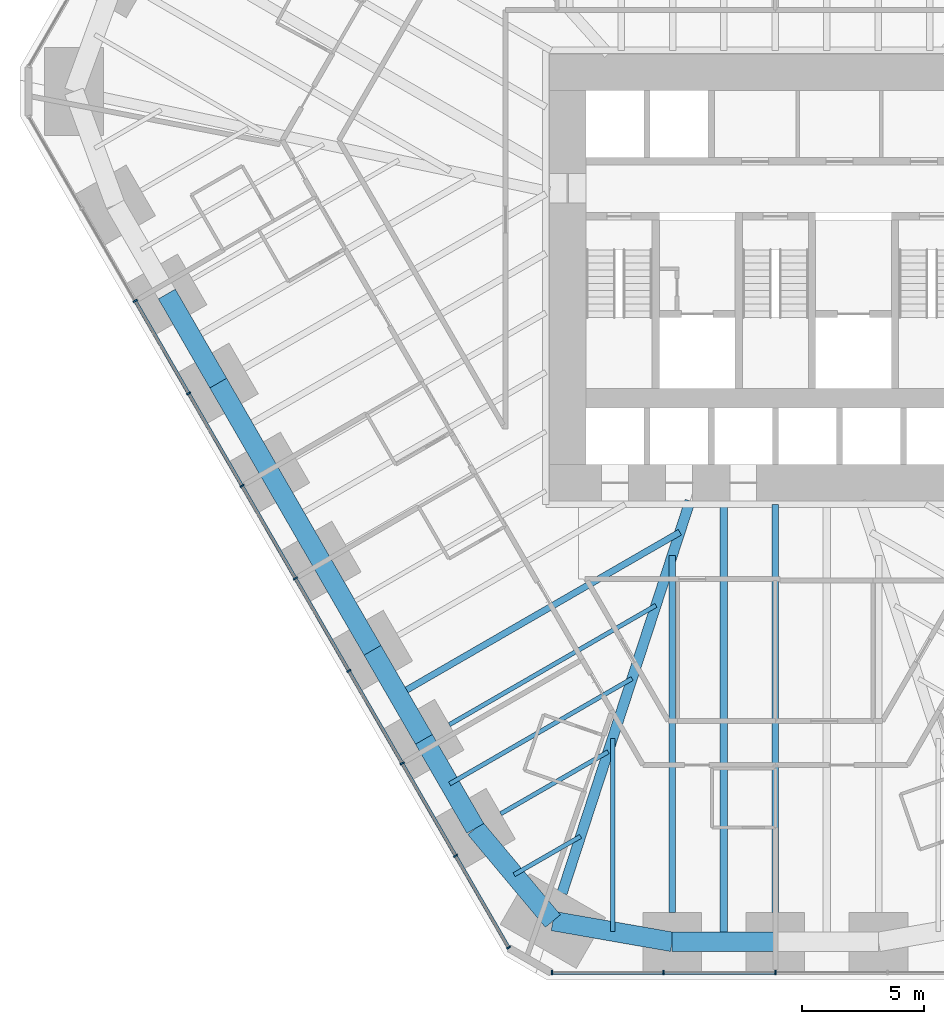
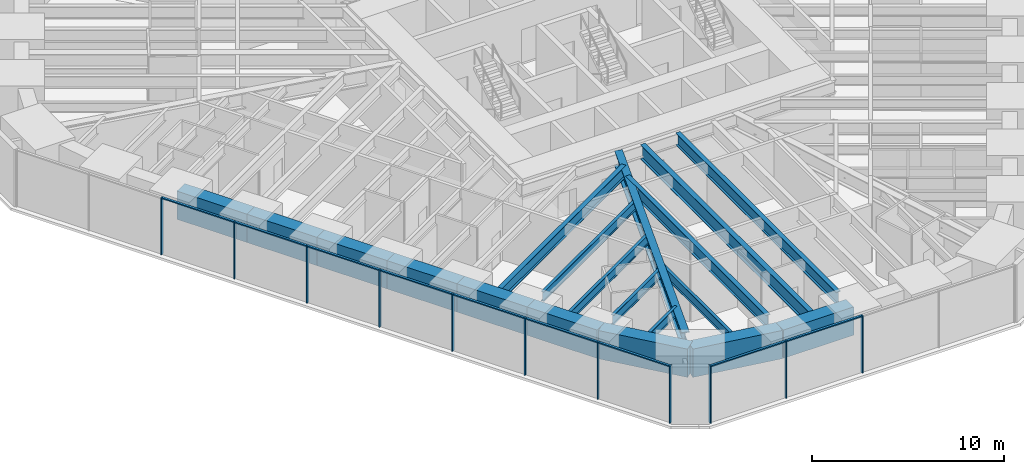
# One storey, part 2 of 17: 20 members, 19 beams, 2 elements without a shape of their own.
"""IFC4 building model written with IfcOpenShell, lengths in metres."""

from ifc_helpers import new_model, si_unit, direction, frame, origin, origin_2d, place, context, subcontext, project, spatial, rectangle, i_section, extrude, material, material_profile, profile_set, type_object, element, aggregate, save


model = new_model("IFC4")

# Units and contexts
model_context = context("Model", 3, precision=1e-05, world=origin(), true_north=direction((0.0, 1.0)))
body_context = subcontext(model_context, "Body", "Model", "MODEL_VIEW")
ifc_project = project(units=[si_unit("LENGTHUNIT", "METRE"), si_unit("AREAUNIT", "SQUARE_METRE"), si_unit("VOLUMEUNIT", "CUBIC_METRE"), si_unit("PLANEANGLEUNIT", "RADIAN"), si_unit("MASSUNIT", "GRAM", prefix="KILO")], contexts=[model_context])

# Site, building, storey
site_placement = place(None, origin())
site = spatial("IfcSite", under=ifc_project, at=site_placement, CompositionType="ELEMENT")
building_placement = place(site_placement, origin())
building = spatial("IfcBuilding", under=site, at=building_placement, Name="Sandreach Pilgrim Tower", CompositionType="ELEMENT")
storey_placement = place(building_placement, frame((0.0, 0.0, 26.800048828125)))
storey = spatial("IfcBuildingStorey", under=building, at=storey_placement, Name="L05", CompositionType="ELEMENT", Elevation=26.800048828125)

# Curtain wall, members
ifc_material_1 = material(Name="Aluminium framed curtain wall", Category="aluminium")
curtain_wall_type = type_object("IfcCurtainWallType", Name="Hostel tower curtain wall", PredefinedType="NOTDEFINED", material=ifc_material_1)
curtain_wall_1_placement = place(storey_placement, origin())
curtain_wall_1 = element("IfcCurtainWall", 1, at=curtain_wall_1_placement, inside=storey, type_object=curtain_wall_type, Name="CW-1 L05 S", PredefinedType="NOTDEFINED")
ifc_material_2 = material(Name="Aluminium extrusion", Category="aluminium")
ifc_material_profile_1 = material_profile(ifc_material_2, rectangle(XDim=0.06494140625, YDim=0.179931640625, at=origin_2d()), Name="CW-1M 65X180")
ifc_profile_set_1 = profile_set([ifc_material_profile_1], Name="Aluminium extrusion")
member_type_1 = type_object("IfcMemberType", Name="CW-1 mullion", PredefinedType="MULLION", material=ifc_profile_set_1)
member_1_placement = place(storey_placement, frame((0.0, -30.010986328125, 0.0), z_axis=(0.0, 0.0, 1.0), x_axis=(-1.0, 0.0, 0.0)))
member_1 = element("IfcMember", 2, at=member_1_placement, type_object=member_type_1, Name="CW-1 mullion 3", PredefinedType="MULLION", context=body_context, shape_type="SweptSolid", body=[
    extrude(rectangle(XDim=0.06494140625, YDim=0.179931640625, at=origin_2d()), origin(), (0.0, 0.0, 1.0), 3.639892578125),
])
member_2_placement = place(storey_placement, frame((-4.5859375, -30.010986328125, 0.0), z_axis=(0.0, 0.0, 1.0), x_axis=(-1.0, 0.0, 0.0)))
member_2 = element("IfcMember", 3, at=member_2_placement, type_object=member_type_1, Name="CW-1 mullion 4", PredefinedType="MULLION", context=body_context, shape_type="SweptSolid", body=[
    extrude(rectangle(XDim=0.06494140625, YDim=0.179931640625, at=origin_2d()), origin(), (0.0, 0.0, 1.0), 3.639892578125),
])
member_3_placement = place(storey_placement, frame((-9.1396484375, -30.010986328125, 0.0), z_axis=(0.0, 0.0, 1.0), x_axis=(-1.0, 0.0, 0.0)))
member_3 = element("IfcMember", 4, at=member_3_placement, type_object=member_type_1, Name="CW-1 mullion 5", PredefinedType="MULLION", context=body_context, shape_type="SweptSolid", body=[
    extrude(rectangle(XDim=0.06494140625, YDim=0.179931640625, at=origin_2d()), origin(), (0.0, 0.0, 1.0), 3.639892578125),
])

curtain_wall_2_placement = place(storey_placement, origin())
curtain_wall_2 = element("IfcCurtainWall", 5, at=curtain_wall_2_placement, inside=storey, type_object=curtain_wall_type, Name="CW-1 L05 SW", PredefinedType="NOTDEFINED")
member_4_placement = place(storey_placement, frame((-10.92041015625, -28.982666015625, 0.0), z_axis=(0.0, 0.0, 1.0), x_axis=(-0.5, 0.866025403784, 0.0)))
member_4 = element("IfcMember", 6, at=member_4_placement, type_object=member_type_1, Name="CW-1 mullion 1", PredefinedType="MULLION", context=body_context, shape_type="SweptSolid", body=[
    extrude(rectangle(XDim=0.06494140625, YDim=0.179931640625, at=origin_2d()), origin(), (0.0, 0.0, 1.0), 3.639892578125),
])
member_5_placement = place(storey_placement, frame((-13.08984375, -25.22509765625, 0.0), z_axis=(0.0, 0.0, 1.0), x_axis=(-0.5, 0.866025403784, 0.0)))
member_5 = element("IfcMember", 7, at=member_5_placement, type_object=member_type_1, Name="CW-1 mullion 2", PredefinedType="MULLION", context=body_context, shape_type="SweptSolid", body=[
    extrude(rectangle(XDim=0.06494140625, YDim=0.179931640625, at=origin_2d()), origin(), (0.0, 0.0, 1.0), 3.639892578125),
])
member_6_placement = place(storey_placement, frame((-15.275634765625, -21.439208984375, 0.0), z_axis=(0.0, 0.0, 1.0), x_axis=(-0.5, 0.866025403784, 0.0)))
member_6 = element("IfcMember", 8, at=member_6_placement, type_object=member_type_1, Name="CW-1 mullion 3", PredefinedType="MULLION", context=body_context, shape_type="SweptSolid", body=[
    extrude(rectangle(XDim=0.06494140625, YDim=0.179931640625, at=origin_2d()), origin(), (0.0, 0.0, 1.0), 3.639892578125),
])
member_7_placement = place(storey_placement, frame((-17.46142578125, -17.6533203125, 0.0), z_axis=(0.0, 0.0, 1.0), x_axis=(-0.5, 0.866025403784, 0.0)))
member_7 = element("IfcMember", 9, at=member_7_placement, type_object=member_type_1, Name="CW-1 mullion 4", PredefinedType="MULLION", context=body_context, shape_type="SweptSolid", body=[
    extrude(rectangle(XDim=0.06494140625, YDim=0.179931640625, at=origin_2d()), origin(), (0.0, 0.0, 1.0), 3.639892578125),
])
member_8_placement = place(storey_placement, frame((-19.647216796875, -13.8671875, 0.0), z_axis=(0.0, 0.0, 1.0), x_axis=(-0.5, 0.866025403784, 0.0)))
member_8 = element("IfcMember", 10, at=member_8_placement, type_object=member_type_1, Name="CW-1 mullion 5", PredefinedType="MULLION", context=body_context, shape_type="SweptSolid", body=[
    extrude(rectangle(XDim=0.06494140625, YDim=0.179931640625, at=origin_2d()), origin(), (0.0, 0.0, 1.0), 3.639892578125),
])
member_9_placement = place(storey_placement, frame((-21.8330078125, -10.081298828125, 0.0), z_axis=(0.0, 0.0, 1.0), x_axis=(-0.5, 0.866025403784, 0.0)))
member_9 = element("IfcMember", 11, at=member_9_placement, type_object=member_type_1, Name="CW-1 mullion 6", PredefinedType="MULLION", context=body_context, shape_type="SweptSolid", body=[
    extrude(rectangle(XDim=0.06494140625, YDim=0.179931640625, at=origin_2d()), origin(), (0.0, 0.0, 1.0), 3.639892578125),
])
member_10_placement = place(storey_placement, frame((-24.018798828125, -6.29541015625, 0.0), z_axis=(0.0, 0.0, 1.0), x_axis=(-0.5, 0.866025403784, 0.0)))
member_10 = element("IfcMember", 12, at=member_10_placement, type_object=member_type_1, Name="CW-1 mullion 7", PredefinedType="MULLION", context=body_context, shape_type="SweptSolid", body=[
    extrude(rectangle(XDim=0.06494140625, YDim=0.179931640625, at=origin_2d()), origin(), (0.0, 0.0, 1.0), 3.639892578125),
])
member_11_placement = place(storey_placement, frame((-26.20458984375, -2.509521484375, 0.0), z_axis=(0.0, 0.0, 1.0), x_axis=(-0.5, 0.866025403784, 0.0)))
member_11 = element("IfcMember", 13, at=member_11_placement, type_object=member_type_1, Name="CW-1 mullion 8", PredefinedType="MULLION", context=body_context, shape_type="SweptSolid", body=[
    extrude(rectangle(XDim=0.06494140625, YDim=0.179931640625, at=origin_2d()), origin(), (0.0, 0.0, 1.0), 3.639892578125),
])

# Member
ifc_material_3 = material(Name="Aluminium extrusion", Category="aluminium")
ifc_material_profile_2 = material_profile(ifc_material_3, rectangle(XDim=0.139892578125, YDim=0.070068359375, at=origin_2d()), Name="CW-1T 140X70")
ifc_profile_set_2 = profile_set([ifc_material_profile_2], Name="Aluminium extrusion")
member_type_2 = type_object("IfcMemberType", Name="CW-1 transom", PredefinedType="USERDEFINED", material=ifc_profile_set_2)
member_12_placement = place(storey_placement, frame((-0.032470703125, -30.010986328125, 3.60498046875), z_axis=(-1.0, 0.0, 0.0), x_axis=(0.0, -1.0, 0.0)))
member_12 = element("IfcMember", 14, at=member_12_placement, type_object=member_type_2, Name="CW-1 head transom 3", ObjectType="TRANSOM", PredefinedType="USERDEFINED", context=body_context, shape_type="SweptSolid", body=[
    extrude(rectangle(XDim=0.139892578125, YDim=0.070068359375, at=origin_2d()), origin(), (0.0, 0.0, 1.0), 4.52099609375),
])

member_13_placement = place(storey_placement, frame((-4.61865234375, -30.010986328125, 3.60498046875), z_axis=(-1.0, 0.0, 0.0), x_axis=(0.0, -1.0, 0.0)))
member_13 = element("IfcMember", 15, at=member_13_placement, type_object=member_type_2, Name="CW-1 head transom 4", ObjectType="TRANSOM", PredefinedType="USERDEFINED", context=body_context, shape_type="SweptSolid", body=[
    extrude(rectangle(XDim=0.139892578125, YDim=0.070068359375, at=origin_2d()), origin(), (0.0, 0.0, 1.0), 4.488525390625),
])

aggregate(curtain_wall_1, [member_1, member_2, member_3, member_12, member_13])

member_14_placement = place(storey_placement, frame((-10.9365234375, -28.95458984375, 3.60498046875), z_axis=(-0.500033953635, 0.866005799756, 0.0), x_axis=(-0.866005799756, -0.500033953635, 0.0)))
member_14 = element("IfcMember", 16, at=member_14_placement, type_object=member_type_2, Name="CW-1 head transom 1", ObjectType="TRANSOM", PredefinedType="USERDEFINED", context=body_context, shape_type="SweptSolid", body=[
    extrude(rectangle(XDim=0.139892578125, YDim=0.070068359375, at=origin_2d()), origin(), (0.0, 0.0, 1.0), 4.274169921875),
])

member_15_placement = place(storey_placement, frame((-13.106201171875, -25.19677734375, 3.60498046875), z_axis=(-0.500016891966, 0.866015650984, 0.0), x_axis=(-0.866015650984, -0.500016891966, 0.0)))
member_15 = element("IfcMember", 17, at=member_15_placement, type_object=member_type_2, Name="CW-1 head transom 2", ObjectType="TRANSOM", PredefinedType="USERDEFINED", context=body_context, shape_type="SweptSolid", body=[
    extrude(rectangle(XDim=0.139892578125, YDim=0.070068359375, at=origin_2d()), origin(), (0.0, 0.0, 1.0), 4.306396484375),
])

member_16_placement = place(storey_placement, frame((-15.2919921875, -21.410888671875, 3.60498046875), z_axis=(-0.500016891966, 0.866015650984, 0.0), x_axis=(-0.866015650984, -0.500016891966, 0.0)))
member_16 = element("IfcMember", 18, at=member_16_placement, type_object=member_type_2, Name="CW-1 head transom 3", ObjectType="TRANSOM", PredefinedType="USERDEFINED", context=body_context, shape_type="SweptSolid", body=[
    extrude(rectangle(XDim=0.139892578125, YDim=0.070068359375, at=origin_2d()), origin(), (0.0, 0.0, 1.0), 4.306396484375),
])

member_17_placement = place(storey_placement, frame((-17.477783203125, -17.625, 3.60498046875), z_axis=(-0.500016891966, 0.866015650984, 0.0), x_axis=(-0.866015650984, -0.500016891966, 0.0)))
member_17 = element("IfcMember", 19, at=member_17_placement, type_object=member_type_2, Name="CW-1 head transom 4", ObjectType="TRANSOM", PredefinedType="USERDEFINED", context=body_context, shape_type="SweptSolid", body=[
    extrude(rectangle(XDim=0.139892578125, YDim=0.070068359375, at=origin_2d()), origin(), (0.0, 0.0, 1.0), 4.306396484375),
])

member_18_placement = place(storey_placement, frame((-19.66357421875, -13.839111328125, 3.60498046875), z_axis=(-0.500016891966, 0.866015650984, 0.0), x_axis=(-0.866015650984, -0.500016891966, 0.0)))
member_18 = element("IfcMember", 20, at=member_18_placement, type_object=member_type_2, Name="CW-1 head transom 5", ObjectType="TRANSOM", PredefinedType="USERDEFINED", context=body_context, shape_type="SweptSolid", body=[
    extrude(rectangle(XDim=0.139892578125, YDim=0.070068359375, at=origin_2d()), origin(), (0.0, 0.0, 1.0), 4.306396484375),
])

member_19_placement = place(storey_placement, frame((-21.849365234375, -10.05322265625, 3.60498046875), z_axis=(-0.500016891966, 0.866015650984, 0.0), x_axis=(-0.866015650984, -0.500016891966, 0.0)))
member_19 = element("IfcMember", 21, at=member_19_placement, type_object=member_type_2, Name="CW-1 head transom 6", ObjectType="TRANSOM", PredefinedType="USERDEFINED", context=body_context, shape_type="SweptSolid", body=[
    extrude(rectangle(XDim=0.139892578125, YDim=0.070068359375, at=origin_2d()), origin(), (0.0, 0.0, 1.0), 4.306396484375),
])

member_20_placement = place(storey_placement, frame((-24.03515625, -6.267333984375, 3.60498046875), z_axis=(-0.500016891966, 0.866015650984, 0.0), x_axis=(-0.866015650984, -0.500016891966, 0.0)))
member_20 = element("IfcMember", 22, at=member_20_placement, type_object=member_type_2, Name="CW-1 head transom 7", ObjectType="TRANSOM", PredefinedType="USERDEFINED", context=body_context, shape_type="SweptSolid", body=[
    extrude(rectangle(XDim=0.139892578125, YDim=0.070068359375, at=origin_2d()), origin(), (0.0, 0.0, 1.0), 4.306396484375),
])

aggregate(curtain_wall_2, [member_4, member_5, member_6, member_7, member_8, member_9, member_10, member_11, member_14, member_15, member_16, member_17, member_18, member_19, member_20])

# Beams
ifc_material_4 = material(Name="Steel ASTM A992 Grade 50", Category="steel")
ifc_material_profile_3 = material_profile(ifc_material_4, i_section(OverallWidth=0.424072265625, OverallDepth=0.965087890625, WebThickness=0.028564453125, FlangeThickness=0.051025390625, at=origin_2d()), Name="W36X361")
ifc_profile_set_3 = profile_set([ifc_material_profile_3], Name="Steel ASTM A992 Grade 50")
beam_type_1 = type_object("IfcBeamType", Name="Corner girder W36X361", PredefinedType="BEAM", material=ifc_profile_set_3)
beam_1_placement = place(storey_placement, frame((-8.73388671875, -26.756103515625, 3.157470703125), z_axis=(0.310315410754, 0.950633654911, 0.0), x_axis=(-0.950633654911, 0.310315410754, 0.0)))
element("IfcBeam", 23, at=beam_1_placement, inside=storey, type_object=beam_type_1, Name="BM L05 CG26", PredefinedType="BEAM", context=body_context, shape_type="SweptSolid", body=[
    extrude(i_section(OverallWidth=0.424072265625, OverallDepth=0.965087890625, WebThickness=0.028564453125, FlangeThickness=0.051025390625, at=origin_2d()), origin(), (0.0, 0.0, 1.0), 16.889892578125),
])
ifc_material_5 = material(Name="Steel ASTM A992 Grade 50", Category="steel")
ifc_material_profile_4 = material_profile(ifc_material_5, i_section(OverallWidth=0.1787109375, OverallDepth=0.60205078125, WebThickness=0.010986328125, FlangeThickness=0.014892578125, at=origin_2d()), Name="W24X62")
ifc_profile_set_4 = profile_set([ifc_material_profile_4], Name="Steel ASTM A992 Grade 50")
beam_type_2 = type_object("IfcBeamType", Name="Floor beam W24X62", PredefinedType="BEAM", material=ifc_profile_set_4)
beam_2_placement = place(storey_placement, frame((-11.242431640625, -23.5048828125, 3.3388671875), z_axis=(0.866027897259, 0.49999568115, 0.0), x_axis=(-0.49999568115, 0.866027897259, 0.0)))
element("IfcBeam", 24, at=beam_2_placement, inside=storey, type_object=beam_type_2, Name="BM L05 F27", PredefinedType="BEAM", context=body_context, shape_type="SweptSolid", body=[
    extrude(i_section(OverallWidth=0.1787109375, OverallDepth=0.60205078125, WebThickness=0.010986328125, FlangeThickness=0.014892578125, at=origin_2d()), origin(), (0.0, 0.0, 1.0), 5.0791015625),
])
beam_3_placement = place(storey_placement, frame((-13.347412109375, -19.859130859375, 3.3388671875), z_axis=(0.866025751498, 0.499999397742, 0.0), x_axis=(-0.499999397742, 0.866025751498, 0.0)))
element("IfcBeam", 25, at=beam_3_placement, inside=storey, type_object=beam_type_2, Name="BM L05 F28", PredefinedType="BEAM", context=body_context, shape_type="SweptSolid", body=[
    extrude(i_section(OverallWidth=0.1787109375, OverallDepth=0.60205078125, WebThickness=0.010986328125, FlangeThickness=0.014892578125, at=origin_2d()), origin(), (0.0, 0.0, 1.0), 9.767578125),
])
beam_4_placement = place(storey_placement, frame((-6.664306640625, -28.323974609375, 3.3388671875), z_axis=(0.0, 1.0, 0.0), x_axis=(-1.0, 0.0, 0.0)))
element("IfcBeam", 26, at=beam_4_placement, inside=storey, type_object=beam_type_2, Name="BM L05 FM25", PredefinedType="BEAM", context=body_context, shape_type="SweptSolid", body=[
    extrude(i_section(OverallWidth=0.1787109375, OverallDepth=0.60205078125, WebThickness=0.010986328125, FlangeThickness=0.014892578125, at=origin_2d()), origin(), (0.0, 0.0, 1.0), 7.907958984375),
])
beam_5_placement = place(storey_placement, frame((-10.694091796875, -26.0009765625, 3.3388671875), z_axis=(0.866023718453, 0.500002919068, 0.0), x_axis=(-0.500002919068, 0.866023718453, 0.0)))
element("IfcBeam", 27, at=beam_5_placement, inside=storey, type_object=beam_type_2, Name="BM L05 FM26", PredefinedType="BEAM", context=body_context, shape_type="SweptSolid", body=[
    extrude(i_section(OverallWidth=0.1787109375, OverallDepth=0.60205078125, WebThickness=0.010986328125, FlangeThickness=0.014892578125, at=origin_2d()), origin(), (0.0, 0.0, 1.0), 3.1396484375),
])
beam_6_placement = place(storey_placement, frame((-13.334228515625, -22.281982421875, 3.3388671875), z_axis=(0.86602717807, 0.499996926835, 0.0), x_axis=(-0.499996926835, 0.86602717807, 0.0)))
element("IfcBeam", 28, at=beam_6_placement, inside=storey, type_object=beam_type_2, Name="BM L05 FM27", PredefinedType="BEAM", context=body_context, shape_type="SweptSolid", body=[
    extrude(i_section(OverallWidth=0.1787109375, OverallDepth=0.60205078125, WebThickness=0.010986328125, FlangeThickness=0.014892578125, at=origin_2d()), origin(), (0.0, 0.0, 1.0), 8.62353515625),
])
ifc_material_6 = material(Name="Steel ASTM A992 Grade 50", Category="steel")
ifc_material_profile_5 = material_profile(ifc_material_6, i_section(OverallWidth=0.2666015625, OverallDepth=0.761962890625, WebThickness=0.014404296875, FlangeThickness=0.021484375, at=origin_2d()), Name="W30X116")
ifc_profile_set_5 = profile_set([ifc_material_profile_5], Name="Steel ASTM A992 Grade 50")
beam_type_3 = type_object("IfcBeamType", Name="Floor beam W30X116", PredefinedType="BEAM", material=ifc_profile_set_5)
beam_7_placement = place(storey_placement, frame((-4.222412109375, -27.55078125, 3.259033203125), z_axis=(0.0, 1.0, 0.0), x_axis=(-1.0, 0.0, 0.0)))
element("IfcBeam", 29, at=beam_7_placement, inside=storey, type_object=beam_type_3, Name="BM L05 F25", PredefinedType="BEAM", context=body_context, shape_type="SweptSolid", body=[
    extrude(i_section(OverallWidth=0.2666015625, OverallDepth=0.761962890625, WebThickness=0.014404296875, FlangeThickness=0.021484375, at=origin_2d()), origin(), (0.0, 0.0, 1.0), 14.61572265625),
])
beam_8_placement = place(storey_placement, frame((-15.43896484375, -18.63623046875, 3.259033203125), z_axis=(0.866021271874, 0.50000715661, 0.0), x_axis=(-0.50000715661, 0.866021271874, 0.0)))
element("IfcBeam", 30, at=beam_8_placement, inside=storey, type_object=beam_type_3, Name="BM L05 FM28", PredefinedType="BEAM", context=body_context, shape_type="SweptSolid", body=[
    extrude(i_section(OverallWidth=0.2666015625, OverallDepth=0.761962890625, WebThickness=0.014404296875, FlangeThickness=0.021484375, at=origin_2d()), origin(), (0.0, 0.0, 1.0), 13.311767578125),
])
ifc_material_7 = material(Name="Steel ASTM A992 Grade 50", Category="steel")
ifc_material_profile_6 = material_profile(ifc_material_7, i_section(OverallWidth=0.2666015625, OverallDepth=0.77978515625, WebThickness=0.0166015625, FlangeThickness=0.030029296875, at=origin_2d()), Name="W30X148")
ifc_profile_set_6 = profile_set([ifc_material_profile_6], Name="Steel ASTM A992 Grade 50")
beam_type_4 = type_object("IfcBeamType", Name="Floor beam W30X148", PredefinedType="BEAM", material=ifc_profile_set_6)
beam_9_placement = place(storey_placement, frame((0.0, -27.55078125, 3.25), z_axis=(0.0, 1.0, 0.0), x_axis=(-1.0, 0.0, 0.0)))
element("IfcBeam", 31, at=beam_9_placement, inside=storey, type_object=beam_type_4, Name="BM L05 F24", PredefinedType="BEAM", context=body_context, shape_type="SweptSolid", body=[
    extrude(i_section(OverallWidth=0.2666015625, OverallDepth=0.77978515625, WebThickness=0.0166015625, FlangeThickness=0.030029296875, at=origin_2d()), origin(), (0.0, 0.0, 1.0), 16.70751953125),
])
ifc_material_8 = material(Name="Steel ASTM A992 Grade 50", Category="steel")
ifc_material_profile_7 = material_profile(ifc_material_8, i_section(OverallWidth=0.3046875, OverallDepth=0.914306640625, WebThickness=0.0166015625, FlangeThickness=0.02587890625, at=origin_2d()), Name="W36X160")
ifc_profile_set_7 = profile_set([ifc_material_profile_7], Name="Steel ASTM A992 Grade 50")
beam_type_5 = type_object("IfcBeamType", Name="Floor beam W36X160", PredefinedType="BEAM", material=ifc_profile_set_7)
beam_10_placement = place(storey_placement, frame((-2.111083984375, -28.7509765625, 3.182861328125), z_axis=(0.0, 1.0, 0.0), x_axis=(-1.0, 0.0, 0.0)))
element("IfcBeam", 32, at=beam_10_placement, inside=storey, type_object=beam_type_5, Name="BM L05 FM24", PredefinedType="BEAM", context=body_context, shape_type="SweptSolid", body=[
    extrude(i_section(OverallWidth=0.3046875, OverallDepth=0.914306640625, WebThickness=0.0166015625, FlangeThickness=0.02587890625, at=origin_2d()), origin(), (0.0, 0.0, 1.0), 17.90771484375),
])
ifc_material_9 = material(Name="Concrete 10000 psi", Category="concrete")
ifc_material_profile_8 = material_profile(ifc_material_9, rectangle(XDim=0.800048828125, YDim=1.800048828125, at=origin_2d()), Name="RC800X1800")
ifc_profile_set_8 = profile_set([ifc_material_profile_8], Name="Concrete 10000 psi")
beam_type_6 = type_object("IfcBeamType", Name="Spandrel beam RC800X1800", PredefinedType="SPANDREL", material=ifc_profile_set_8)
beam_11_placement = place(storey_placement, frame((0.0, -28.7509765625, 2.739990234375), z_axis=(-1.0, 0.0, 0.0), x_axis=(0.0, -1.0, 0.0)))
element("IfcBeam", 33, at=beam_11_placement, inside=storey, type_object=beam_type_6, Name="BM L05 SP24", PredefinedType="SPANDREL", context=body_context, shape_type="SweptSolid", body=[
    extrude(rectangle(XDim=0.800048828125, YDim=1.800048828125, at=origin_2d()), origin(), (0.0, 0.0, 1.0), 4.222412109375),
])
beam_12_placement = place(storey_placement, frame((-4.222412109375, -28.7509765625, 2.739990234375), z_axis=(-0.985054495501, 0.17224297052, 0.0), x_axis=(-0.17224297052, -0.985054495501, 0.0)))
element("IfcBeam", 34, at=beam_12_placement, inside=storey, type_object=beam_type_6, Name="BM L05 SP25", PredefinedType="SPANDREL", context=body_context, shape_type="SweptSolid", body=[
    extrude(rectangle(XDim=0.800048828125, YDim=1.800048828125, at=origin_2d()), origin(), (0.0, 0.0, 1.0), 4.958251953125),
])
beam_13_placement = place(storey_placement, frame((-9.1064453125, -27.89697265625, 2.739990234375), z_axis=(-0.642008193922, 0.766697775488, 0.0), x_axis=(-0.766697775488, -0.642008193922, 0.0)))
element("IfcBeam", 35, at=beam_13_placement, inside=storey, type_object=beam_type_6, Name="BM L05 SP26", PredefinedType="SPANDREL", context=body_context, shape_type="SweptSolid", body=[
    extrude(rectangle(XDim=0.800048828125, YDim=1.800048828125, at=origin_2d()), origin(), (0.0, 0.0, 1.0), 4.94580078125),
])
beam_14_placement = place(storey_placement, frame((-12.28173828125, -24.10498046875, 2.739990234375), z_axis=(-0.499993523031, 0.866029143232, 0.0), x_axis=(-0.866029143232, -0.499993523031, 0.0)))
element("IfcBeam", 36, at=beam_14_placement, inside=storey, type_object=beam_type_6, Name="BM L05 SP27", PredefinedType="SPANDREL", context=body_context, shape_type="SweptSolid", body=[
    extrude(rectangle(XDim=0.800048828125, YDim=1.800048828125, at=origin_2d()), origin(), (0.0, 0.0, 1.0), 4.2099609375),
])
beam_15_placement = place(storey_placement, frame((-14.38671875, -20.458984375, 2.739990234375), z_axis=(-0.499975138639, 0.866039757022, 0.0), x_axis=(-0.866039757022, -0.499975138639, 0.0)))
element("IfcBeam", 37, at=beam_15_placement, inside=storey, type_object=beam_type_6, Name="BM L05 SP28", PredefinedType="SPANDREL", context=body_context, shape_type="SweptSolid", body=[
    extrude(rectangle(XDim=0.800048828125, YDim=1.800048828125, at=origin_2d()), origin(), (0.0, 0.0, 1.0), 4.209716796875),
])
beam_16_placement = place(storey_placement, frame((-16.491455078125, -16.813232421875, 2.739990234375), z_axis=(-0.499993523031, 0.866029143232, 0.0), x_axis=(-0.866029143232, -0.499993523031, 0.0)))
element("IfcBeam", 38, at=beam_16_placement, inside=storey, type_object=beam_type_6, Name="BM L05 SP29", PredefinedType="SPANDREL", context=body_context, shape_type="SweptSolid", body=[
    extrude(rectangle(XDim=0.800048828125, YDim=1.800048828125, at=origin_2d()), origin(), (0.0, 0.0, 1.0), 4.2099609375),
])
beam_17_placement = place(storey_placement, frame((-18.596435546875, -13.167236328125, 2.739990234375), z_axis=(-0.50001863446, 0.866014644907, 0.0), x_axis=(-0.866014644907, -0.50001863446, 0.0)))
element("IfcBeam", 39, at=beam_17_placement, inside=storey, type_object=beam_type_6, Name="BM L05 SP30", PredefinedType="SPANDREL", context=body_context, shape_type="SweptSolid", body=[
    extrude(rectangle(XDim=0.800048828125, YDim=1.800048828125, at=origin_2d()), origin(), (0.0, 0.0, 1.0), 4.209716796875),
])
beam_18_placement = place(storey_placement, frame((-20.701416015625, -9.521484375, 2.739990234375), z_axis=(-0.499993523031, 0.866029143232, 0.0), x_axis=(-0.866029143232, -0.499993523031, 0.0)))
element("IfcBeam", 40, at=beam_18_placement, inside=storey, type_object=beam_type_6, Name="BM L05 SP31", PredefinedType="SPANDREL", context=body_context, shape_type="SweptSolid", body=[
    extrude(rectangle(XDim=0.800048828125, YDim=1.800048828125, at=origin_2d()), origin(), (0.0, 0.0, 1.0), 4.2099609375),
])
beam_19_placement = place(storey_placement, frame((-22.806396484375, -5.87548828125, 2.739990234375), z_axis=(-0.50001863446, 0.866014644907, 0.0), x_axis=(-0.866014644907, -0.50001863446, 0.0)))
element("IfcBeam", 41, at=beam_19_placement, inside=storey, type_object=beam_type_6, Name="BM L05 SP32", PredefinedType="SPANDREL", context=body_context, shape_type="SweptSolid", body=[
    extrude(rectangle(XDim=0.800048828125, YDim=1.800048828125, at=origin_2d()), origin(), (0.0, 0.0, 1.0), 4.209716796875),
])

save(model, "model.ifc")
